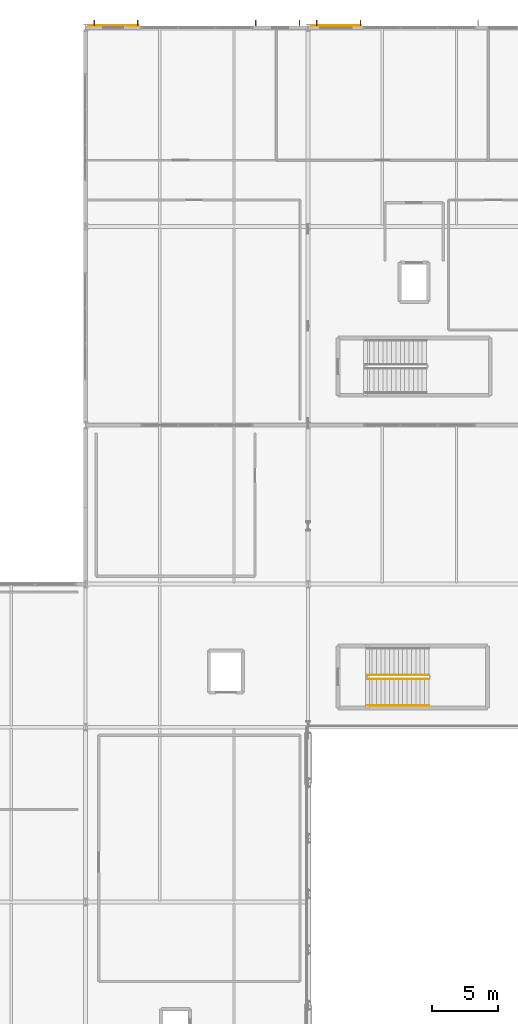
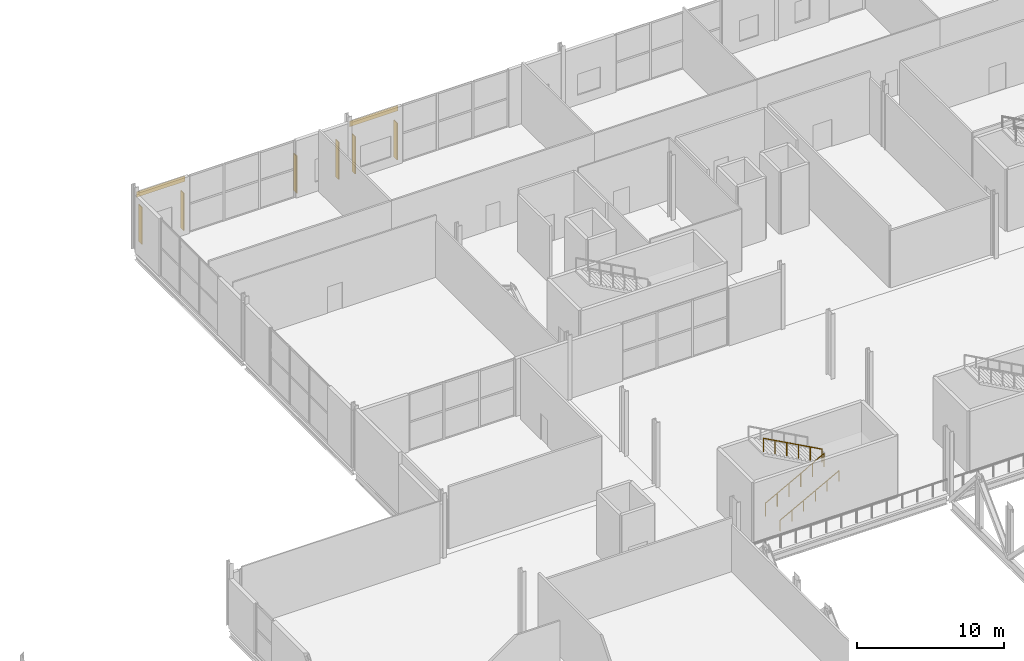
# One storey, part 72 of 84: 6 shading devices, 3 railings, 2 coverings.
"""IFC4 building model written with IfcOpenShell, lengths in metres."""

from ifc_helpers import new_model, si_unit, direction, frame, origin, origin_2d, place, context, subcontext, project, spatial, rectangle, circle, extrude, material, layer, layer_set, type_object, element, save


model = new_model("IFC4")

# Units and contexts
model_context = context("Model", 3, precision=1e-05, world=origin(), true_north=direction((0.0, 1.0)))
body_context = subcontext(model_context, "Body", "Model", "MODEL_VIEW")
ifc_project = project(units=[si_unit("LENGTHUNIT", "METRE"), si_unit("AREAUNIT", "SQUARE_METRE"), si_unit("VOLUMEUNIT", "CUBIC_METRE"), si_unit("PLANEANGLEUNIT", "RADIAN"), si_unit("MASSUNIT", "GRAM", prefix="KILO")], contexts=[model_context])

# Site, building, storey
site_placement = place(None, origin())
site = spatial("IfcSite", under=ifc_project, at=site_placement, CompositionType="ELEMENT")
building_placement = place(site_placement, origin())
building = spatial("IfcBuilding", under=site, at=building_placement, Name="Kimbaza Rail Terminus", CompositionType="ELEMENT")
storey_placement = place(building_placement, frame((0.0, 0.0, 5.39990234375)))
storey = spatial("IfcBuildingStorey", under=building, at=storey_placement, Name="L01", CompositionType="ELEMENT", Elevation=5.39990234375)

# Coverings
ifc_material_1 = material(Name="Champagne anodised aluminium spandrel cladding", Category="aluminium")
ifc_layer = layer(ifc_material_1, 0.034912109375)
ifc_layer_set = layer_set([ifc_layer], Name="Champagne anodised aluminium spandrel cladding")
covering_type = type_object("IfcCoveringType", Name="ARC-COV-CLD1", PredefinedType="CLADDING", material=ifc_layer_set)
for number, where, z_axis, x_axis, name in (
    (1, (57.300048828125, 133.156005859375, 4.240234375), (0.0, 0.0, 1.0), (1.0, 0.0, 0.0), "North Spandrel Cladding L01 Bay 1"),
    (2, (74.10009765625, 133.156005859375, 4.240234375), (0.0, 0.0, 1.0), (1.0, 0.0, 0.0), "North Spandrel Cladding L01 Bay 2"),
):
    element("IfcCovering", number, at=place(storey_placement, frame(where, z_axis=z_axis, x_axis=x_axis)), inside=storey, type_object=covering_type, Name=name, PredefinedType="CLADDING", context=body_context, shape_type="SweptSolid", body=[
        extrude(rectangle(XDim=3.800048828125, YDim=0.034912109375, at=origin_2d()), origin(), (0.0, 0.0, 1.0), 0.449951171875),
    ])

# Railings
ifc_material_2 = material(Name="Brushed stainless steel handrail", Category="steel")
railing_type_1 = type_object("IfcRailingType", Name="ARC-RL-HND92", PredefinedType="HANDRAIL", material=ifc_material_2)
railing_1_placement = place(storey_placement, frame((76.5, 81.85009765625, 0.18017578125)))
element("IfcRailing", 3, at=railing_1_placement, inside=storey, type_object=railing_type_1, Name="L01 ST-C1 stair handrail 1", PredefinedType="HANDRAIL", context=body_context, shape_type="SweptSolid", body=[
    extrude(circle(Radius=0.02392578125, at=origin_2d()), frame((0.0, 0.0, 0.8759765625), z_axis=(0.877899118682, 0.0, 0.478845630049), x_axis=(0.0, 1.0, 0.0)), (0.0, 0.0, 1.0), 5.2626953125),
    extrude(circle(Radius=0.02099609375, at=origin_2d()), origin(), (0.0, 0.0, 1.0), 0.851806640625),
    extrude(circle(Radius=0.02099609375, at=origin_2d()), frame((0.924072265625, 0.0, 0.50390625)), (0.0, 0.0, 1.0), 0.851806640625),
    extrude(circle(Radius=0.02099609375, at=origin_2d()), frame((1.84814453125, 0.0, 1.008056640625)), (0.0, 0.0, 1.0), 0.851806640625),
    extrude(circle(Radius=0.02099609375, at=origin_2d()), frame((2.77197265625, 0.0, 1.511962890625)), (0.0, 0.0, 1.0), 0.851806640625),
    extrude(circle(Radius=0.02099609375, at=origin_2d()), frame((3.696044921875, 0.0, 2.01611328125)), (0.0, 0.0, 1.0), 0.851806640625),
    extrude(circle(Radius=0.02099609375, at=origin_2d()), frame((4.6201171875, 0.0, 2.52001953125)), (0.0, 0.0, 1.0), 0.851806640625),
])
ifc_material_3 = material(Name="Painted tubular steel stair well guard", Category="steel")
railing_type_2 = type_object("IfcRailingType", Name="ARC-RL-STGRD", PredefinedType="GUARDRAIL", material=ifc_material_3)
railing_2_placement = place(storey_placement, frame((76.5, 83.85009765625, 0.18017578125)))
element("IfcRailing", 4, at=railing_2_placement, inside=storey, type_object=railing_type_2, Name="L01 ST-C1 stair guard 1", PredefinedType="GUARDRAIL", context=body_context, shape_type="SweptSolid", body=[
    extrude(circle(Radius=0.02392578125, at=origin_2d()), frame((0.0, 0.0, 1.09619140625), z_axis=(0.877899118682, 0.0, 0.478845630049), x_axis=(0.0, 1.0, 0.0)), (0.0, 0.0, 1.0), 5.2626953125),
    extrude(circle(Radius=0.02099609375, at=origin_2d()), origin(), (0.0, 0.0, 1.0), 1.072021484375),
    extrude(circle(Radius=0.02099609375, at=origin_2d()), frame((0.924072265625, 0.0, 0.50390625)), (0.0, 0.0, 1.0), 1.072021484375),
    extrude(circle(Radius=0.02099609375, at=origin_2d()), frame((1.84814453125, 0.0, 1.008056640625)), (0.0, 0.0, 1.0), 1.072021484375),
    extrude(circle(Radius=0.02099609375, at=origin_2d()), frame((2.77197265625, 0.0, 1.511962890625)), (0.0, 0.0, 1.0), 1.072021484375),
    extrude(circle(Radius=0.02099609375, at=origin_2d()), frame((3.696044921875, 0.0, 2.01611328125)), (0.0, 0.0, 1.0), 1.072021484375),
    extrude(circle(Radius=0.02099609375, at=origin_2d()), frame((4.6201171875, 0.0, 2.52001953125)), (0.0, 0.0, 1.0), 1.072021484375),
])
railing_3_placement = place(storey_placement, frame((81.1201171875, 84.14990234375, 2.880126953125)))
element("IfcRailing", 5, at=railing_3_placement, inside=storey, type_object=railing_type_2, Name="L01 ST-C1 stair guard 3", PredefinedType="GUARDRAIL", context=body_context, shape_type="SweptSolid", body=[
    extrude(circle(Radius=0.02392578125, at=origin_2d()), frame((0.0, 0.0, 1.09619140625), z_axis=(-0.877899118682, 0.0, 0.478845630049), x_axis=(0.0, -1.0, 0.0)), (0.0, 0.0, 1.0), 5.2626953125),
    extrude(circle(Radius=0.02099609375, at=origin_2d()), origin(), (0.0, 0.0, 1.0), 1.072021484375),
    extrude(circle(Radius=0.02099609375, at=origin_2d()), frame((-0.924072265625, 0.0, 0.50390625)), (0.0, 0.0, 1.0), 1.072021484375),
    extrude(circle(Radius=0.02099609375, at=origin_2d()), frame((-1.84814453125, 0.0, 1.008056640625)), (0.0, 0.0, 1.0), 1.072021484375),
    extrude(circle(Radius=0.02099609375, at=origin_2d()), frame((-2.77197265625, 0.0, 1.511962890625)), (0.0, 0.0, 1.0), 1.072021484375),
    extrude(circle(Radius=0.02099609375, at=origin_2d()), frame((-3.696044921875, 0.0, 2.01611328125)), (0.0, 0.0, 1.0), 1.072021484375),
    extrude(circle(Radius=0.02099609375, at=origin_2d()), frame((-4.6201171875, 0.0, 2.52001953125)), (0.0, 0.0, 1.0), 1.072021484375),
])

# Shading devices
ifc_material_4 = material(Name="Champagne anodised extruded aluminium", Category="aluminium")
shading_device_type = type_object("IfcShadingDeviceType", Name="ARC-SHD-FIN450", PredefinedType="USERDEFINED", material=ifc_material_4)
for number, where, z_axis, x_axis, name in (
    (6, (55.85009765625, 133.363037109375, 0.150146484375), (0.0, 0.0, 1.0), (1.0, 0.0, 0.0), "North Solar Fin L01 Bay 1.1"),
    (7, (59.14990234375, 133.363037109375, 0.150146484375), (0.0, 0.0, 1.0), (1.0, 0.0, 0.0), "North Solar Fin L01 Bay 1.2"),
    (8, (68.050048828125, 133.363037109375, 0.150146484375), (0.0, 0.0, 1.0), (1.0, 0.0, 0.0), "North Solar Fin L01 Bay 1.3"),
    (9, (71.35009765625, 133.363037109375, 0.150146484375), (0.0, 0.0, 1.0), (1.0, 0.0, 0.0), "North Solar Fin L01 Bay 1.4"),
    (10, (72.64990234375, 133.363037109375, 0.150146484375), (0.0, 0.0, 1.0), (1.0, 0.0, 0.0), "North Solar Fin L01 Bay 2.1"),
    (11, (75.949951171875, 133.363037109375, 0.150146484375), (0.0, 0.0, 1.0), (1.0, 0.0, 0.0), "North Solar Fin L01 Bay 2.2"),
):
    element("IfcShadingDevice", number, at=place(storey_placement, frame(where, z_axis=z_axis, x_axis=x_axis)), inside=storey, type_object=shading_device_type, Name=name, ObjectType="BRISE SOLEIL FIN", PredefinedType="USERDEFINED", context=body_context, shape_type="SweptSolid", body=[
        extrude(rectangle(XDim=0.06494140625, YDim=0.449951171875, at=origin_2d()), origin(), (0.0, 0.0, 1.0), 3.10009765625),
    ])

save(model, "model.ifc")
